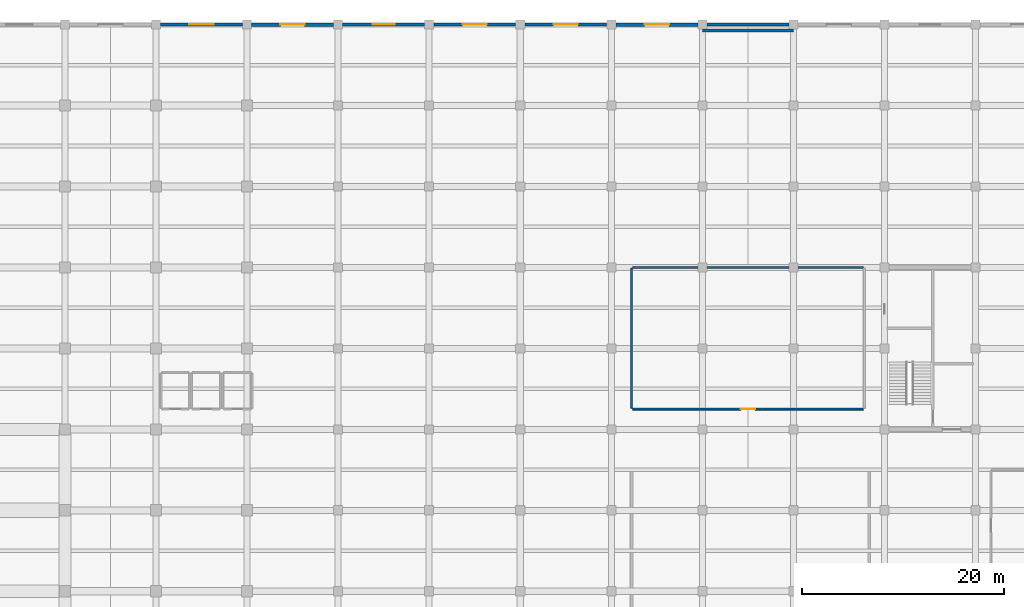
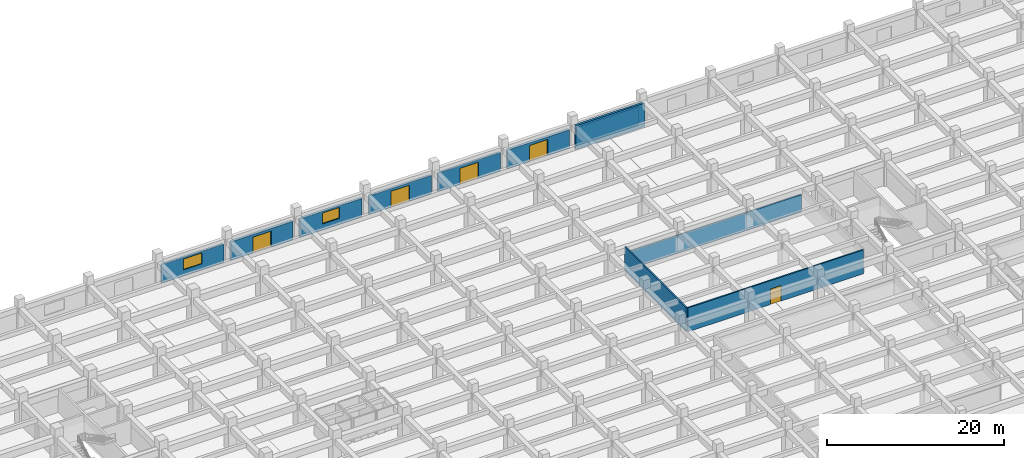
# One storey, part 27 of 40: 11 walls, 5 doors, 2 windows, 7 openings.
"""IFC4 building model written with IfcOpenShell, lengths in metres."""

from ifc_helpers import new_model, si_unit, direction, frame, frame_2d, origin, place, context, subcontext, project, spatial, rectangle, extrude, material, layer, layer_set, type_object, element, fill, save


model = new_model("IFC4")

# Units and contexts
model_context = context("Model", 3, precision=1e-05, world=origin(), true_north=direction((0.0, 1.0)))
body_context = subcontext(model_context, "Body", "Model", "MODEL_VIEW")
ifc_project = project(units=[si_unit("LENGTHUNIT", "METRE"), si_unit("AREAUNIT", "SQUARE_METRE"), si_unit("VOLUMEUNIT", "CUBIC_METRE"), si_unit("PLANEANGLEUNIT", "RADIAN"), si_unit("MASSUNIT", "GRAM", prefix="KILO")], contexts=[model_context])

# Site, building, storey
site_placement = place(None, origin())
site = spatial("IfcSite", under=ifc_project, at=site_placement, CompositionType="ELEMENT")
building_placement = place(site_placement, origin())
building = spatial("IfcBuilding", under=site, at=building_placement, Name="Zaverband Oceanarium and Marine Research Institute", CompositionType="ELEMENT")
storey_placement = place(building_placement, origin())
storey = spatial("IfcBuildingStorey", under=building, at=storey_placement, Name="L00", CompositionType="ELEMENT", Elevation=0.0)

# Wall, opening, window
ifc_material_1 = material(Name="Concrete C40/50 precast", Category="concrete")
ifc_layer_1 = layer(ifc_material_1, 0.264892578125, Name="Concrete C40/50 precast")
ifc_layer_set_1 = layer_set([ifc_layer_1], Name="Concrete C40/50 precast")
wall_type_1 = type_object("IfcWallType", Name="EW-265", PredefinedType="STANDARD", material=ifc_layer_set_1)
wall_1_placement = place(storey_placement, frame((63.455078125, 120.0, 0.0), z_axis=(0.0, 0.0, 1.0), x_axis=(1.0, 0.0, 0.0)))
wall_1 = element("IfcWall", 1, at=wall_1_placement, inside=storey, type_object=wall_type_1, Name="Exterior infill wall EW-265", PredefinedType="STANDARD", context=body_context, shape_type="SweptSolid", body=[
    extrude(rectangle(XDim=8.08984375, YDim=0.264892578125, at=frame_2d((4.044921875, 0.0))), origin(), (0.0, 0.0, 1.0), 2.580078125),
])
opening_1_placement = place(wall_1_placement, frame((2.844970703125, 0.0, 0.85009765625)))
opening_1 = element("IfcOpeningElement", 2, at=opening_1_placement, cuts=wall_1, Name="Opening WN-2400x1500", PredefinedType="OPENING", context=body_context, shape_type="SweptSolid", body=[
    extrude(rectangle(XDim=2.39990234375, YDim=1.5, at=frame_2d((1.199951171875, 0.75))), frame((0.0, 0.14453125, 0.0), z_axis=(0.0, -1.0, 0.0), x_axis=(1.0, 0.0, 0.0)), (0.0, 0.0, 1.0), 0.288818359375),
])
ifc_material_2 = material(Name="Thermally broken anodized aluminium and solar-control glass", Category="aluminium")
window_type_1 = type_object("IfcWindowType", Name="WN-2400x1500", PartitioningType="SINGLE_PANEL", PredefinedType="WINDOW", material=ifc_material_2)
window_1_placement = place(opening_1_placement, origin())
window_1 = element("IfcWindow", 3, at=window_1_placement, inside=storey, type_object=window_type_1, Name="Fixed / casement exterior window WN-2400x1500", OverallHeight=1.5, OverallWidth=2.39990234375, PartitioningType="SINGLE_PANEL", PredefinedType="WINDOW", context=body_context, shape_type="SweptSolid", body=[
    extrude(rectangle(XDim=2.39990234375, YDim=1.5, at=frame_2d((1.199951171875, 0.75))), frame((0.0, 0.030029296875, 0.0), z_axis=(0.0, -1.0, 0.0), x_axis=(1.0, 0.0, 0.0)), (0.0, 0.0, 1.0), 0.06005859375),
])
fill(opening_1, window_1)

# Wall, opening, door
wall_2_placement = place(storey_placement, frame((99.455078125, 120.0, 0.0), z_axis=(0.0, 0.0, 1.0), x_axis=(1.0, 0.0, 0.0)))
wall_2 = element("IfcWall", 4, at=wall_2_placement, inside=storey, type_object=wall_type_1, Name="Exterior infill wall EW-265", PredefinedType="STANDARD", context=body_context, shape_type="SweptSolid", body=[
    extrude(rectangle(XDim=8.08984375, YDim=0.264892578125, at=frame_2d((4.044921875, 0.0))), origin(), (0.0, 0.0, 1.0), 2.580078125),
])
opening_2_placement = place(wall_2_placement, frame((2.844970703125, 0.0, 0.0)))
opening_2 = element("IfcOpeningElement", 5, at=opening_2_placement, cuts=wall_2, Name="Opening ED-2400x2220", PredefinedType="OPENING", context=body_context, shape_type="SweptSolid", body=[
    extrude(rectangle(XDim=2.39990234375, YDim=2.219970703125, at=frame_2d((1.199951171875, 1.10986328125))), frame((0.0, 0.14453125, 0.0), z_axis=(0.0, -1.0, 0.0), x_axis=(1.0, 0.0, 0.0)), (0.0, 0.0, 1.0), 0.288818359375),
])
ifc_material_3 = material(Name="Thermally broken anodized aluminium and laminated glass", Category="aluminium")
door_type_1 = type_object("IfcDoorType", Name="ED-2400x2220", OperationType="DOUBLE_DOOR_SINGLE_SWING", PredefinedType="DOOR", material=ifc_material_3)
door_1_placement = place(opening_2_placement, origin())
door_1 = element("IfcDoor", 6, at=door_1_placement, inside=storey, type_object=door_type_1, Name="Pedestrian exit E12", OperationType="DOUBLE_DOOR_SINGLE_SWING", OverallHeight=2.219970703125, OverallWidth=2.39990234375, PredefinedType="DOOR", context=body_context, shape_type="SweptSolid", body=[
    extrude(rectangle(XDim=2.39990234375, YDim=2.219970703125, at=frame_2d((1.199951171875, 1.10986328125))), frame((0.0, 0.02490234375, 0.0), z_axis=(0.0, -1.0, 0.0), x_axis=(1.0, 0.0, 0.0)), (0.0, 0.0, 1.0), 0.050048828125),
])
fill(opening_2, door_1)

ifc_layer_2 = layer(ifc_material_1, 0.2900390625, Name="Concrete C40/50 precast")
ifc_layer_set_2 = layer_set([ifc_layer_2], Name="Concrete C40/50 precast")
wall_type_2 = type_object("IfcWallType", Name="EW-290", PredefinedType="STANDARD", material=ifc_layer_set_2)
wall_3_placement = place(storey_placement, frame((90.455078125, 120.0, 0.0), z_axis=(0.0, 0.0, 1.0), x_axis=(1.0, 0.0, 0.0)))
wall_3 = element("IfcWall", 7, at=wall_3_placement, inside=storey, type_object=wall_type_2, Name="Exterior infill wall EW-290", PredefinedType="STANDARD", context=body_context, shape_type="SweptSolid", body=[
    extrude(rectangle(XDim=8.08984375, YDim=0.2900390625, at=frame_2d((4.044921875, 0.0))), origin(), (0.0, 0.0, 1.0), 2.580078125),
])
opening_3_placement = place(wall_3_placement, frame((2.844970703125, 0.0, 0.0)))
opening_3 = element("IfcOpeningElement", 8, at=opening_3_placement, cuts=wall_3, Name="Opening ED-2400x2220", PredefinedType="OPENING", context=body_context, shape_type="SweptSolid", body=[
    extrude(rectangle(XDim=2.39990234375, YDim=2.219970703125, at=frame_2d((1.199951171875, 1.10986328125))), frame((0.0, 0.156982421875, 0.0), z_axis=(0.0, -1.0, 0.0), x_axis=(1.0, 0.0, 0.0)), (0.0, 0.0, 1.0), 0.31396484375),
])
door_2_placement = place(opening_3_placement, origin())
door_2 = element("IfcDoor", 9, at=door_2_placement, inside=storey, type_object=door_type_1, Name="Pedestrian exit E11", OperationType="DOUBLE_DOOR_SINGLE_SWING", OverallHeight=2.219970703125, OverallWidth=2.39990234375, PredefinedType="DOOR", context=body_context, shape_type="SweptSolid", body=[
    extrude(rectangle(XDim=2.39990234375, YDim=2.219970703125, at=frame_2d((1.199951171875, 1.10986328125))), frame((0.0, 0.02490234375, 0.0), z_axis=(0.0, -1.0, 0.0), x_axis=(1.0, 0.0, 0.0)), (0.0, 0.0, 1.0), 0.050048828125),
])
fill(opening_3, door_2)

# Wall, opening, window
ifc_layer_3 = layer(ifc_material_1, 0.31005859375, Name="Concrete C40/50 precast")
ifc_layer_set_3 = layer_set([ifc_layer_3], Name="Concrete C40/50 precast")
wall_type_3 = type_object("IfcWallType", Name="EW-310", PredefinedType="STANDARD", material=ifc_layer_set_3)
wall_4_placement = place(storey_placement, frame((81.455078125, 120.0, 0.0), z_axis=(0.0, 0.0, 1.0), x_axis=(1.0, 0.0, 0.0)))
wall_4 = element("IfcWall", 10, at=wall_4_placement, inside=storey, type_object=wall_type_3, Name="Exterior infill wall EW-310", PredefinedType="STANDARD", context=body_context, shape_type="SweptSolid", body=[
    extrude(rectangle(XDim=8.08984375, YDim=0.31005859375, at=frame_2d((4.044921875, 0.0))), origin(), (0.0, 0.0, 1.0), 2.580078125),
])
opening_4_placement = place(wall_4_placement, frame((2.945068359375, 0.0, 0.85009765625)))
opening_4 = element("IfcOpeningElement", 11, at=opening_4_placement, cuts=wall_4, Name="Opening WN-2200x1500", PredefinedType="OPENING", context=body_context, shape_type="SweptSolid", body=[
    extrude(rectangle(XDim=2.199951171875, YDim=1.5, at=frame_2d((1.10009765625, 0.75))), frame((0.0, 0.1669921875, 0.0), z_axis=(0.0, -1.0, 0.0), x_axis=(1.0, 0.0, 0.0)), (0.0, 0.0, 1.0), 0.333984375),
])
window_type_2 = type_object("IfcWindowType", Name="WN-2200x1500", PartitioningType="SINGLE_PANEL", PredefinedType="WINDOW", material=ifc_material_2)
window_2_placement = place(opening_4_placement, origin())
window_2 = element("IfcWindow", 12, at=window_2_placement, inside=storey, type_object=window_type_2, Name="Fixed / casement exterior window WN-2200x1500", OverallHeight=1.5, OverallWidth=2.199951171875, PartitioningType="SINGLE_PANEL", PredefinedType="WINDOW", context=body_context, shape_type="SweptSolid", body=[
    extrude(rectangle(XDim=2.199951171875, YDim=1.5, at=frame_2d((1.10009765625, 0.75))), frame((0.0, 0.030029296875, 0.0), z_axis=(0.0, -1.0, 0.0), x_axis=(1.0, 0.0, 0.0)), (0.0, 0.0, 1.0), 0.06005859375),
])
fill(opening_4, window_2)

# Wall
wall_5_placement = place(storey_placement, frame((117.455078125, 120.0, 0.0), z_axis=(0.0, 0.0, 1.0), x_axis=(1.0, 0.0, 0.0)))
element("IfcWall", 13, at=wall_5_placement, inside=storey, type_object=wall_type_3, Name="Exterior infill wall EW-310", PredefinedType="STANDARD", context=body_context, shape_type="SweptSolid", body=[
    extrude(rectangle(XDim=8.08984375, YDim=0.31005859375, at=frame_2d((4.044921875, 0.0))), origin(), (0.0, 0.0, 1.0), 2.580078125),
])

# Wall, opening, door
ifc_layer_4 = layer(ifc_material_1, 0.340087890625, Name="Concrete C40/50 precast")
ifc_layer_set_4 = layer_set([ifc_layer_4], Name="Concrete C40/50 precast")
wall_type_4 = type_object("IfcWallType", Name="EW-340", PredefinedType="STANDARD", material=ifc_layer_set_4)
wall_6_placement = place(storey_placement, frame((72.455078125, 120.0, 0.0), z_axis=(0.0, 0.0, 1.0), x_axis=(1.0, 0.0, 0.0)))
wall_6 = element("IfcWall", 14, at=wall_6_placement, inside=storey, type_object=wall_type_4, Name="Exterior infill wall EW-340", PredefinedType="STANDARD", context=body_context, shape_type="SweptSolid", body=[
    extrude(rectangle(XDim=8.08984375, YDim=0.340087890625, at=frame_2d((4.044921875, 0.0))), origin(), (0.0, 0.0, 1.0), 2.580078125),
])
opening_5_placement = place(wall_6_placement, frame((2.844970703125, 0.0, 0.0)))
opening_5 = element("IfcOpeningElement", 15, at=opening_5_placement, cuts=wall_6, Name="Opening ED-2400x2220", PredefinedType="OPENING", context=body_context, shape_type="SweptSolid", body=[
    extrude(rectangle(XDim=2.39990234375, YDim=2.219970703125, at=frame_2d((1.199951171875, 1.10986328125))), frame((0.0, 0.18212890625, 0.0), z_axis=(0.0, -1.0, 0.0), x_axis=(1.0, 0.0, 0.0)), (0.0, 0.0, 1.0), 0.364013671875),
])
door_3_placement = place(opening_5_placement, origin())
door_3 = element("IfcDoor", 16, at=door_3_placement, inside=storey, type_object=door_type_1, Name="Pedestrian exit E10", OperationType="DOUBLE_DOOR_SINGLE_SWING", OverallHeight=2.219970703125, OverallWidth=2.39990234375, PredefinedType="DOOR", context=body_context, shape_type="SweptSolid", body=[
    extrude(rectangle(XDim=2.39990234375, YDim=2.219970703125, at=frame_2d((1.199951171875, 1.10986328125))), frame((0.0, 0.02490234375, 0.0), z_axis=(0.0, -1.0, 0.0), x_axis=(1.0, 0.0, 0.0)), (0.0, 0.0, 1.0), 0.050048828125),
])
fill(opening_5, door_3)

wall_7_placement = place(storey_placement, frame((108.455078125, 120.0, 0.0), z_axis=(0.0, 0.0, 1.0), x_axis=(1.0, 0.0, 0.0)))
wall_7 = element("IfcWall", 17, at=wall_7_placement, inside=storey, type_object=wall_type_4, Name="Exterior infill wall EW-340", PredefinedType="STANDARD", context=body_context, shape_type="SweptSolid", body=[
    extrude(rectangle(XDim=8.08984375, YDim=0.340087890625, at=frame_2d((4.044921875, 0.0))), origin(), (0.0, 0.0, 1.0), 2.580078125),
])
opening_6_placement = place(wall_7_placement, frame((2.844970703125, 0.0, 0.0)))
opening_6 = element("IfcOpeningElement", 18, at=opening_6_placement, cuts=wall_7, Name="Opening ED-2400x2220", PredefinedType="OPENING", context=body_context, shape_type="SweptSolid", body=[
    extrude(rectangle(XDim=2.39990234375, YDim=2.219970703125, at=frame_2d((1.199951171875, 1.10986328125))), frame((0.0, 0.18212890625, 0.0), z_axis=(0.0, -1.0, 0.0), x_axis=(1.0, 0.0, 0.0)), (0.0, 0.0, 1.0), 0.364013671875),
])
door_4_placement = place(opening_6_placement, origin())
door_4 = element("IfcDoor", 19, at=door_4_placement, inside=storey, type_object=door_type_1, Name="Pedestrian exit E13", OperationType="DOUBLE_DOOR_SINGLE_SWING", OverallHeight=2.219970703125, OverallWidth=2.39990234375, PredefinedType="DOOR", context=body_context, shape_type="SweptSolid", body=[
    extrude(rectangle(XDim=2.39990234375, YDim=2.219970703125, at=frame_2d((1.199951171875, 1.10986328125))), frame((0.0, 0.02490234375, 0.0), z_axis=(0.0, -1.0, 0.0), x_axis=(1.0, 0.0, 0.0)), (0.0, 0.0, 1.0), 0.050048828125),
])
fill(opening_6, door_4)

ifc_material_4 = material(Name="Moisture-resistant laboratory blockwork", Category="masonry")
ifc_layer_5 = layer(ifc_material_4, 0.179931640625, Name="Moisture-resistant laboratory blockwork")
ifc_layer_set_5 = layer_set([ifc_layer_5], Name="Moisture-resistant laboratory blockwork")
wall_type_5 = type_object("IfcWallType", Name="PT-180-LB", PredefinedType="PARTITIONING", material=ifc_layer_set_5)
wall_8_placement = place(storey_placement, frame((110.090087890625, 82.0, 0.0), z_axis=(0.0, 0.0, 1.0), x_axis=(1.0, 0.0, 0.0)))
wall_8 = element("IfcWall", 20, at=wall_8_placement, inside=storey, type_object=wall_type_5, Name="Internal partition PT-180-LB", PredefinedType="PARTITIONING", context=body_context, shape_type="SweptSolid", body=[
    extrude(rectangle(XDim=22.81982421875, YDim=0.179931640625, at=frame_2d((11.409912109375, 0.0))), origin(), (0.0, 0.0, 1.0), 3.300048828125),
])
opening_7_placement = place(wall_8_placement, frame((10.7099609375, 0.0, 0.0)))
opening_7 = element("IfcOpeningElement", 21, at=opening_7_placement, cuts=wall_8, Name="Opening ID-1400x2150", PredefinedType="OPENING", context=body_context, shape_type="SweptSolid", body=[
    extrude(rectangle(XDim=1.39990234375, YDim=2.14990234375, at=frame_2d((0.699951171875, 1.074951171875))), frame((0.0, 0.10205078125, 0.0), z_axis=(0.0, -1.0, 0.0), x_axis=(1.0, 0.0, 0.0)), (0.0, 0.0, 1.0), 0.203857421875),
])
ifc_material_5 = material(Name="Hardwood-veneered acoustic timber", Category="wood")
door_type_2 = type_object("IfcDoorType", Name="ID-1400x2150", OperationType="NOTDEFINED", PredefinedType="DOOR", material=ifc_material_5)
door_5_placement = place(opening_7_placement, origin())
door_5 = element("IfcDoor", 22, at=door_5_placement, inside=storey, type_object=door_type_2, Name="Aquaculture wet lab door ID-1400x2150", OperationType="SINGLE_SWING_LEFT", OverallHeight=2.14990234375, OverallWidth=1.39990234375, PredefinedType="DOOR", context=body_context, shape_type="SweptSolid", body=[
    extrude(rectangle(XDim=1.39990234375, YDim=2.14990234375, at=frame_2d((0.699951171875, 1.074951171875))), frame((0.0, 0.02490234375, 0.0), z_axis=(0.0, -1.0, 0.0), x_axis=(1.0, 0.0, 0.0)), (0.0, 0.0, 1.0), 0.050048828125),
])
fill(opening_7, door_5)

# Walls
wall_9_placement = place(storey_placement, frame((110.090087890625, 96.0, 0.0), z_axis=(0.0, 0.0, 1.0), x_axis=(1.0, 0.0, 0.0)))
element("IfcWall", 23, at=wall_9_placement, inside=storey, type_object=wall_type_5, Name="Internal partition PT-180-LB", PredefinedType="PARTITIONING", context=body_context, shape_type="SweptSolid", body=[
    extrude(rectangle(XDim=22.81982421875, YDim=0.179931640625, at=frame_2d((11.409912109375, 0.0))), origin(), (0.0, 0.0, 1.0), 2.449951171875),
])
wall_10_placement = place(storey_placement, frame((110.0, 82.090087890625, 0.0), z_axis=(0.0, 0.0, 1.0), x_axis=(0.0, 1.0, 0.0)))
element("IfcWall", 24, at=wall_10_placement, inside=storey, type_object=wall_type_5, Name="Internal partition PT-180-LB", PredefinedType="PARTITIONING", context=body_context, shape_type="SweptSolid", body=[
    extrude(rectangle(XDim=13.81982421875, YDim=0.179931640625, at=frame_2d((6.909912109375, 0.0))), origin(), (0.0, 0.0, 1.0), 3.300048828125),
])
ifc_material_6 = material(Name="Concrete C40/50", Category="concrete")
ifc_layer_6 = layer(ifc_material_6, 0.280029296875, Name="Concrete C40/50")
ifc_layer_set_6 = layer_set([ifc_layer_6], Name="Concrete C40/50")
wall_type_6 = type_object("IfcWallType", Name="SCW-03", PredefinedType="SOLIDWALL", material=ifc_layer_set_6)
wall_11_placement = place(storey_placement, frame((117.0, 119.39990234375, 0.0), z_axis=(0.0, 0.0, 1.0), x_axis=(1.0, 0.0, 0.0)))
element("IfcWall", 25, at=wall_11_placement, inside=storey, type_object=wall_type_6, Name="Structural concrete wall SCW-03", PredefinedType="SOLIDWALL", context=body_context, shape_type="SweptSolid", body=[
    extrude(rectangle(XDim=9.0, YDim=0.280029296875, at=frame_2d((4.5, 0.0))), origin(), (0.0, 0.0, 1.0), 3.300048828125),
])

save(model, "model.ifc")
